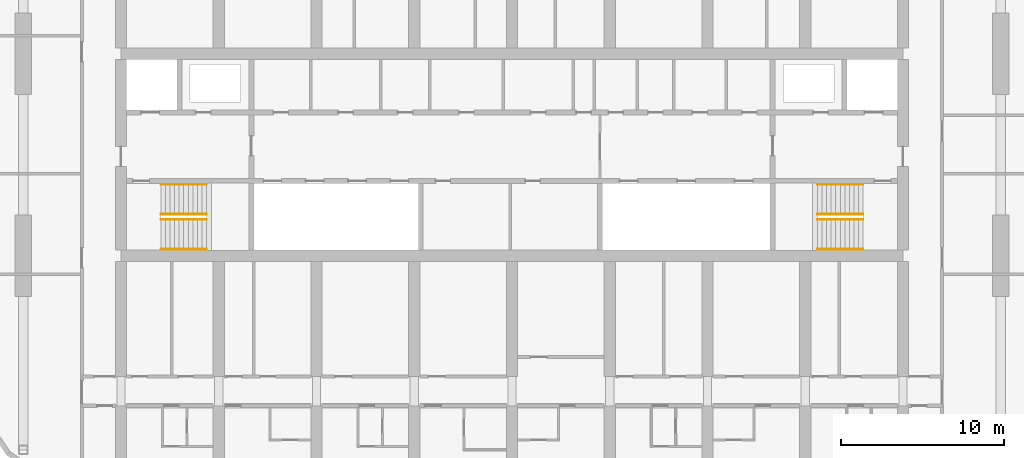
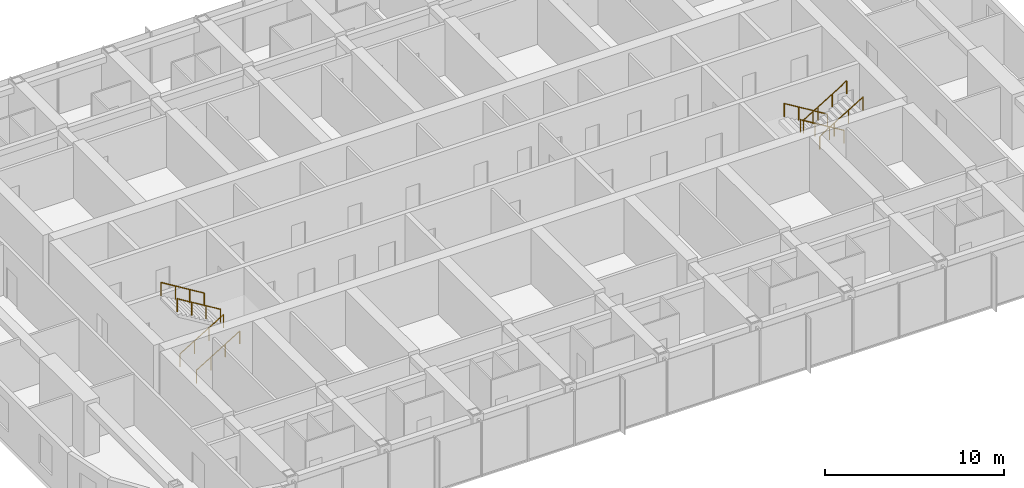
# One storey, part 23 of 23: 8 railings.
"""IFC4 building model written with IfcOpenShell, lengths in metres."""

from ifc_helpers import new_model, si_unit, direction, frame, origin, origin_2d, place, context, subcontext, project, spatial, circle, extrude, material, type_object, element, save


model = new_model("IFC4")

# Units and contexts
model_context = context("Model", 3, precision=1e-05, world=origin(), true_north=direction((0.0, 1.0)))
body_context = subcontext(model_context, "Body", "Model", "MODEL_VIEW")
ifc_project = project(units=[si_unit("LENGTHUNIT", "METRE"), si_unit("AREAUNIT", "SQUARE_METRE"), si_unit("VOLUMEUNIT", "CUBIC_METRE"), si_unit("PLANEANGLEUNIT", "RADIAN"), si_unit("MASSUNIT", "GRAM", prefix="KILO")], contexts=[model_context])

# Site, building, storey
site_placement = place(None, origin())
site = spatial("IfcSite", under=ifc_project, at=site_placement, CompositionType="ELEMENT")
building_placement = place(site_placement, origin())
building = spatial("IfcBuilding", under=site, at=building_placement, Name="Orbita Commons", CompositionType="ELEMENT")
storey_placement = place(building_placement, frame((0.0, 0.0, 224.050048828125)))
storey = spatial("IfcBuildingStorey", under=building, at=storey_placement, Name="L55", CompositionType="ELEMENT", Elevation=224.050048828125)

# Railings
ifc_material = material(Name="Steel tube, painted", Category="steel")
railing_type = type_object("IfcRailingType", Name="Stair handrail steel tube 900", PredefinedType="HANDRAIL", material=ifc_material)
for number, where, name in (
    (1, (20.449951171875, 28.0400390625, 0.17041015625), "Stair S1 handrail L55 flight 1"),
    (2, (20.449951171875, 26.2099609375, 0.17041015625), "Stair S1 handrail L55 flight 1"),
):
    element("IfcRailing", number, at=place(storey_placement, frame(where)), inside=storey, type_object=railing_type, Name=name, PredefinedType="HANDRAIL", context=body_context, shape_type="SweptSolid", body=[
        extrude(circle(Radius=0.02099609375, at=origin_2d()), frame((0.0, 0.0, 0.87890625), z_axis=(0.854169791009, 0.0, 0.51999420009), x_axis=(0.0, 1.0, 0.0)), (0.0, 0.0, 1.0), 3.278076171875),
        extrude(circle(Radius=0.02001953125, at=origin_2d()), origin(), (0.0, 0.0, 1.0), 0.85791015625),
        extrude(circle(Radius=0.02001953125, at=origin_2d()), frame((0.933349609375, 0.0, 0.568115234375)), (0.0, 0.0, 1.0), 0.85791015625),
        extrude(circle(Radius=0.02001953125, at=origin_2d()), frame((1.86669921875, 0.0, 1.136474609375)), (0.0, 0.0, 1.0), 0.85791015625),
        extrude(circle(Radius=0.02001953125, at=origin_2d()), frame((2.800048828125, 0.0, 1.70458984375)), (0.0, 0.0, 1.0), 0.85791015625),
    ])
for number, where, name in (
    (3, (23.25, 28.360107421875, 2.04541015625), "Stair S1 handrail L55 flight 2"),
    (4, (23.25, 30.18994140625, 2.04541015625), "Stair S1 handrail L55 flight 2"),
    (5, (63.550048828125, 28.360107421875, 0.17041015625), "Stair S2 handrail L55 flight 1"),
    (6, (63.550048828125, 30.18994140625, 0.17041015625), "Stair S2 handrail L55 flight 1"),
):
    element("IfcRailing", number, at=place(storey_placement, frame(where)), inside=storey, type_object=railing_type, Name=name, PredefinedType="HANDRAIL", context=body_context, shape_type="SweptSolid", body=[
        extrude(circle(Radius=0.02099609375, at=origin_2d()), frame((0.0, 0.0, 0.87890625), z_axis=(-0.854169791009, 0.0, 0.51999420009), x_axis=(0.0, -1.0, 0.0)), (0.0, 0.0, 1.0), 3.278076171875),
        extrude(circle(Radius=0.02001953125, at=origin_2d()), origin(), (0.0, 0.0, 1.0), 0.85791015625),
        extrude(circle(Radius=0.02001953125, at=origin_2d()), frame((-0.933349609375, 0.0, 0.568115234375)), (0.0, 0.0, 1.0), 0.85791015625),
        extrude(circle(Radius=0.02001953125, at=origin_2d()), frame((-1.86669921875, 0.0, 1.136474609375)), (0.0, 0.0, 1.0), 0.85791015625),
        extrude(circle(Radius=0.02001953125, at=origin_2d()), frame((-2.800048828125, 0.0, 1.70458984375)), (0.0, 0.0, 1.0), 0.85791015625),
    ])
for number, where, name in (
    (7, (60.75, 28.0400390625, 2.04541015625), "Stair S2 handrail L55 flight 2"),
    (8, (60.75, 26.2099609375, 2.04541015625), "Stair S2 handrail L55 flight 2"),
):
    element("IfcRailing", number, at=place(storey_placement, frame(where)), inside=storey, type_object=railing_type, Name=name, PredefinedType="HANDRAIL", context=body_context, shape_type="SweptSolid", body=[
        extrude(circle(Radius=0.02099609375, at=origin_2d()), frame((0.0, 0.0, 0.87890625), z_axis=(0.854169791009, 0.0, 0.51999420009), x_axis=(0.0, 1.0, 0.0)), (0.0, 0.0, 1.0), 3.278076171875),
        extrude(circle(Radius=0.02001953125, at=origin_2d()), origin(), (0.0, 0.0, 1.0), 0.85791015625),
        extrude(circle(Radius=0.02001953125, at=origin_2d()), frame((0.933349609375, 0.0, 0.568115234375)), (0.0, 0.0, 1.0), 0.85791015625),
        extrude(circle(Radius=0.02001953125, at=origin_2d()), frame((1.86669921875, 0.0, 1.136474609375)), (0.0, 0.0, 1.0), 0.85791015625),
        extrude(circle(Radius=0.02001953125, at=origin_2d()), frame((2.800048828125, 0.0, 1.70458984375)), (0.0, 0.0, 1.0), 0.85791015625),
    ])

save(model, "model.ifc")
